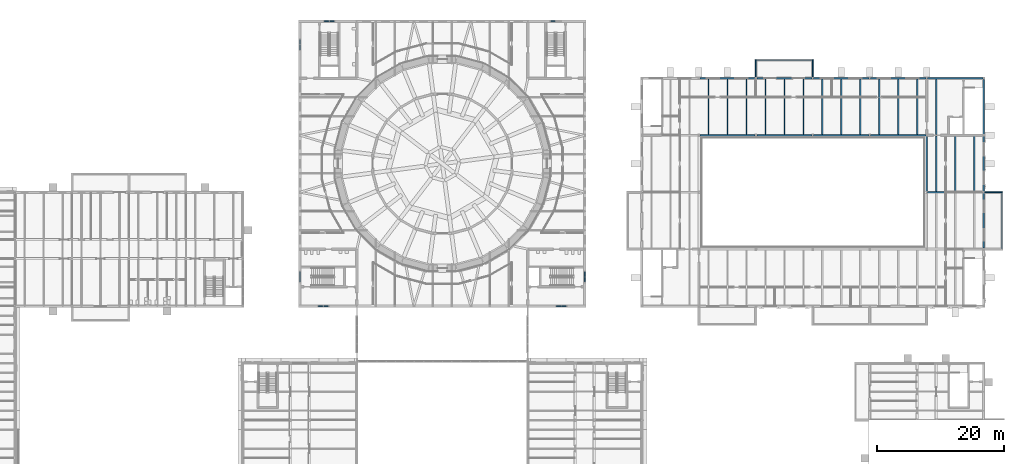
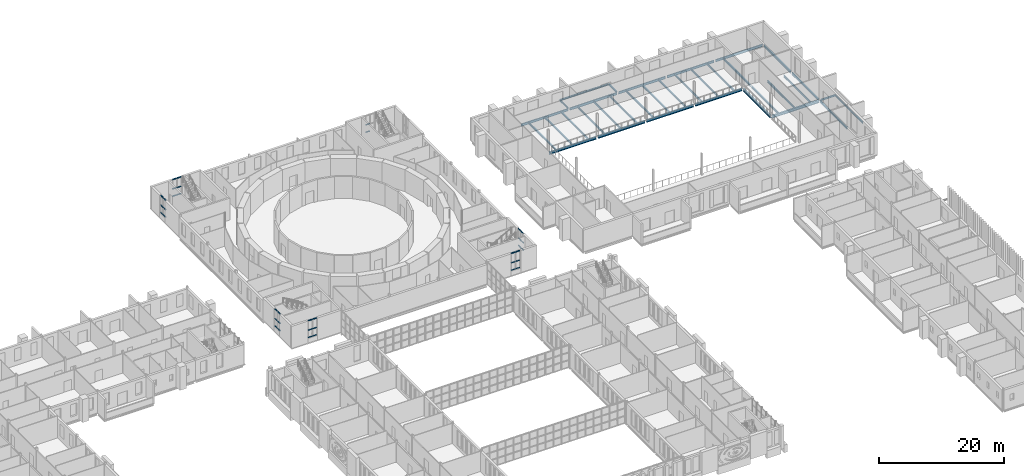
# One storey, part 58 of 131: 38 members, 35 beams, 7 elements without a shape of their own.
"""IFC4 building model written with IfcOpenShell, lengths in metres."""

from ifc_helpers import new_model, si_unit, direction, frame, origin, origin_2d, place, context, subcontext, project, spatial, hollow_rectangle, i_section, extrude, material, material_profile, profile_set, type_object, element, aggregate, save


model = new_model("IFC4")

# Units and contexts
model_context = context("Model", 3, precision=1e-05, world=origin(), true_north=direction((0.0, 1.0)))
body_context = subcontext(model_context, "Body", "Model", "MODEL_VIEW")
ifc_project = project(units=[si_unit("LENGTHUNIT", "METRE"), si_unit("AREAUNIT", "SQUARE_METRE"), si_unit("VOLUMEUNIT", "CUBIC_METRE"), si_unit("PLANEANGLEUNIT", "RADIAN"), si_unit("MASSUNIT", "GRAM", prefix="KILO")], contexts=[model_context])

# Site, building, storey
site_placement = place(None, origin())
site = spatial("IfcSite", under=ifc_project, at=site_placement, CompositionType="ELEMENT")
building_placement = place(site_placement, origin())
building = spatial("IfcBuilding", under=site, at=building_placement, Name="Golden Quay Civic Hall", CompositionType="ELEMENT")
storey_placement = place(building_placement, frame((0.0, 0.0, 9.89990234375)))
storey = spatial("IfcBuildingStorey", under=building, at=storey_placement, Name="L02", CompositionType="ELEMENT", Elevation=9.89990234375)

# Curtain wall, members
ifc_material_1 = material(Name="Fire-resisting glass and steel", Category="steel")
curtain_wall_type = type_object("IfcCurtainWallType", Name="Fire-resisting glazed stair curtain wall EI 120", PredefinedType="NOTDEFINED", material=ifc_material_1)
curtain_wall_1_placement = place(storey_placement, origin())
curtain_wall_1 = element("IfcCurtainWall", 1, at=curtain_wall_1_placement, inside=storey, type_object=curtain_wall_type, Name="CW4 stair curtain wall", PredefinedType="NOTDEFINED")
ifc_material_2 = material(Name="Steel S355", Category="steel")
ifc_material_profile_1 = material_profile(ifc_material_2, hollow_rectangle(XDim=0.1201171875, YDim=0.1201171875, WallThickness=0.012451171875, at=origin_2d()), Name="SHS 120x120x12.5")
ifc_profile_set_1 = profile_set([ifc_material_profile_1], Name="Steel S355")
member_type = type_object("IfcMemberType", Name="Fire-resisting steel stair transom 120 x 120", PredefinedType="USERDEFINED", material=ifc_profile_set_1)
member_1_placement = place(storey_placement, frame((65.919921875, 63.0, 0.960205078125), z_axis=(1.0, 0.0, 0.0), x_axis=(0.0, 1.0, 0.0)))
member_1 = element("IfcMember", 2, at=member_1_placement, type_object=member_type, Name="CW4 transom 1.1", ObjectType="TRANSOM", PredefinedType="USERDEFINED", context=body_context, shape_type="SweptSolid", body=[
    extrude(hollow_rectangle(XDim=0.1201171875, YDim=0.1201171875, WallThickness=0.012451171875, at=origin_2d()), origin(), (0.0, 0.0, 1.0), 0.719970703125),
])
member_2_placement = place(storey_placement, frame((65.919921875, 63.0, 2.400146484375), z_axis=(1.0, 0.0, 0.0), x_axis=(0.0, 1.0, 0.0)))
member_2 = element("IfcMember", 3, at=member_2_placement, type_object=member_type, Name="CW4 transom 1.2", ObjectType="TRANSOM", PredefinedType="USERDEFINED", context=body_context, shape_type="SweptSolid", body=[
    extrude(hollow_rectangle(XDim=0.1201171875, YDim=0.1201171875, WallThickness=0.012451171875, at=origin_2d()), origin(), (0.0, 0.0, 1.0), 0.719970703125),
])
member_3_placement = place(storey_placement, frame((65.919921875, 63.0, 4.239990234375), z_axis=(1.0, 0.0, 0.0), x_axis=(0.0, 1.0, 0.0)))
member_3 = element("IfcMember", 4, at=member_3_placement, type_object=member_type, Name="CW4 transom 1.3", ObjectType="TRANSOM", PredefinedType="USERDEFINED", context=body_context, shape_type="SweptSolid", body=[
    extrude(hollow_rectangle(XDim=0.1201171875, YDim=0.1201171875, WallThickness=0.012451171875, at=origin_2d()), origin(), (0.0, 0.0, 1.0), 0.719970703125),
])
member_4_placement = place(storey_placement, frame((66.760009765625, 63.0, 0.960205078125), z_axis=(1.0, 0.0, 0.0), x_axis=(0.0, 1.0, 0.0)))
member_4 = element("IfcMember", 5, at=member_4_placement, type_object=member_type, Name="CW4 transom 2.1", ObjectType="TRANSOM", PredefinedType="USERDEFINED", context=body_context, shape_type="SweptSolid", body=[
    extrude(hollow_rectangle(XDim=0.1201171875, YDim=0.1201171875, WallThickness=0.012451171875, at=origin_2d()), origin(), (0.0, 0.0, 1.0), 0.719970703125),
])
member_5_placement = place(storey_placement, frame((66.760009765625, 63.0, 2.400146484375), z_axis=(1.0, 0.0, 0.0), x_axis=(0.0, 1.0, 0.0)))
member_5 = element("IfcMember", 6, at=member_5_placement, type_object=member_type, Name="CW4 transom 2.2", ObjectType="TRANSOM", PredefinedType="USERDEFINED", context=body_context, shape_type="SweptSolid", body=[
    extrude(hollow_rectangle(XDim=0.1201171875, YDim=0.1201171875, WallThickness=0.012451171875, at=origin_2d()), origin(), (0.0, 0.0, 1.0), 0.719970703125),
])
member_6_placement = place(storey_placement, frame((66.760009765625, 63.0, 4.239990234375), z_axis=(1.0, 0.0, 0.0), x_axis=(0.0, 1.0, 0.0)))
member_6 = element("IfcMember", 7, at=member_6_placement, type_object=member_type, Name="CW4 transom 2.3", ObjectType="TRANSOM", PredefinedType="USERDEFINED", context=body_context, shape_type="SweptSolid", body=[
    extrude(hollow_rectangle(XDim=0.1201171875, YDim=0.1201171875, WallThickness=0.012451171875, at=origin_2d()), origin(), (0.0, 0.0, 1.0), 0.719970703125),
])
aggregate(curtain_wall_1, [member_1, member_2, member_3, member_4, member_5, member_6])

curtain_wall_2_placement = place(storey_placement, origin())
curtain_wall_2 = element("IfcCurtainWall", 8, at=curtain_wall_2_placement, inside=storey, type_object=curtain_wall_type, Name="CW4 stair curtain wall", PredefinedType="NOTDEFINED")
member_7_placement = place(storey_placement, frame((103.52001953125, 63.0, 0.960205078125), z_axis=(1.0, 0.0, 0.0), x_axis=(0.0, 1.0, 0.0)))
member_7 = element("IfcMember", 9, at=member_7_placement, type_object=member_type, Name="CW4 transom 1.1", ObjectType="TRANSOM", PredefinedType="USERDEFINED", context=body_context, shape_type="SweptSolid", body=[
    extrude(hollow_rectangle(XDim=0.1201171875, YDim=0.1201171875, WallThickness=0.012451171875, at=origin_2d()), origin(), (0.0, 0.0, 1.0), 0.719970703125),
])
member_8_placement = place(storey_placement, frame((103.52001953125, 63.0, 2.400146484375), z_axis=(1.0, 0.0, 0.0), x_axis=(0.0, 1.0, 0.0)))
member_8 = element("IfcMember", 10, at=member_8_placement, type_object=member_type, Name="CW4 transom 1.2", ObjectType="TRANSOM", PredefinedType="USERDEFINED", context=body_context, shape_type="SweptSolid", body=[
    extrude(hollow_rectangle(XDim=0.1201171875, YDim=0.1201171875, WallThickness=0.012451171875, at=origin_2d()), origin(), (0.0, 0.0, 1.0), 0.719970703125),
])
member_9_placement = place(storey_placement, frame((103.52001953125, 63.0, 4.239990234375), z_axis=(1.0, 0.0, 0.0), x_axis=(0.0, 1.0, 0.0)))
member_9 = element("IfcMember", 11, at=member_9_placement, type_object=member_type, Name="CW4 transom 1.3", ObjectType="TRANSOM", PredefinedType="USERDEFINED", context=body_context, shape_type="SweptSolid", body=[
    extrude(hollow_rectangle(XDim=0.1201171875, YDim=0.1201171875, WallThickness=0.012451171875, at=origin_2d()), origin(), (0.0, 0.0, 1.0), 0.719970703125),
])
member_10_placement = place(storey_placement, frame((104.360107421875, 63.0, 0.960205078125), z_axis=(1.0, 0.0, 0.0), x_axis=(0.0, 1.0, 0.0)))
member_10 = element("IfcMember", 12, at=member_10_placement, type_object=member_type, Name="CW4 transom 2.1", ObjectType="TRANSOM", PredefinedType="USERDEFINED", context=body_context, shape_type="SweptSolid", body=[
    extrude(hollow_rectangle(XDim=0.1201171875, YDim=0.1201171875, WallThickness=0.012451171875, at=origin_2d()), origin(), (0.0, 0.0, 1.0), 0.719970703125),
])
member_11_placement = place(storey_placement, frame((104.360107421875, 63.0, 2.400146484375), z_axis=(1.0, 0.0, 0.0), x_axis=(0.0, 1.0, 0.0)))
member_11 = element("IfcMember", 13, at=member_11_placement, type_object=member_type, Name="CW4 transom 2.2", ObjectType="TRANSOM", PredefinedType="USERDEFINED", context=body_context, shape_type="SweptSolid", body=[
    extrude(hollow_rectangle(XDim=0.1201171875, YDim=0.1201171875, WallThickness=0.012451171875, at=origin_2d()), origin(), (0.0, 0.0, 1.0), 0.719970703125),
])
member_12_placement = place(storey_placement, frame((104.360107421875, 63.0, 4.239990234375), z_axis=(1.0, 0.0, 0.0), x_axis=(0.0, 1.0, 0.0)))
member_12 = element("IfcMember", 14, at=member_12_placement, type_object=member_type, Name="CW4 transom 2.3", ObjectType="TRANSOM", PredefinedType="USERDEFINED", context=body_context, shape_type="SweptSolid", body=[
    extrude(hollow_rectangle(XDim=0.1201171875, YDim=0.1201171875, WallThickness=0.012451171875, at=origin_2d()), origin(), (0.0, 0.0, 1.0), 0.719970703125),
])
aggregate(curtain_wall_2, [member_7, member_8, member_9, member_10, member_11, member_12])

curtain_wall_3_placement = place(storey_placement, origin())
curtain_wall_3 = element("IfcCurtainWall", 15, at=curtain_wall_3_placement, inside=storey, type_object=curtain_wall_type, Name="CW4 stair curtain wall", PredefinedType="NOTDEFINED")
member_13_placement = place(storey_placement, frame((66.844970703125, 108.0, 0.960205078125), z_axis=(1.0, 0.0, 0.0), x_axis=(0.0, 1.0, 0.0)))
member_13 = element("IfcMember", 16, at=member_13_placement, type_object=member_type, Name="CW4 transom 1.1", ObjectType="TRANSOM", PredefinedType="USERDEFINED", context=body_context, shape_type="SweptSolid", body=[
    extrude(hollow_rectangle(XDim=0.1201171875, YDim=0.1201171875, WallThickness=0.012451171875, at=origin_2d()), origin(), (0.0, 0.0, 1.0), 0.719970703125),
])
member_14_placement = place(storey_placement, frame((66.844970703125, 108.0, 2.400146484375), z_axis=(1.0, 0.0, 0.0), x_axis=(0.0, 1.0, 0.0)))
member_14 = element("IfcMember", 17, at=member_14_placement, type_object=member_type, Name="CW4 transom 1.2", ObjectType="TRANSOM", PredefinedType="USERDEFINED", context=body_context, shape_type="SweptSolid", body=[
    extrude(hollow_rectangle(XDim=0.1201171875, YDim=0.1201171875, WallThickness=0.012451171875, at=origin_2d()), origin(), (0.0, 0.0, 1.0), 0.719970703125),
])
member_15_placement = place(storey_placement, frame((66.844970703125, 108.0, 4.239990234375), z_axis=(1.0, 0.0, 0.0), x_axis=(0.0, 1.0, 0.0)))
member_15 = element("IfcMember", 18, at=member_15_placement, type_object=member_type, Name="CW4 transom 1.3", ObjectType="TRANSOM", PredefinedType="USERDEFINED", context=body_context, shape_type="SweptSolid", body=[
    extrude(hollow_rectangle(XDim=0.1201171875, YDim=0.1201171875, WallThickness=0.012451171875, at=origin_2d()), origin(), (0.0, 0.0, 1.0), 0.719970703125),
])
member_16_placement = place(storey_placement, frame((67.68505859375, 108.0, 0.960205078125), z_axis=(1.0, 0.0, 0.0), x_axis=(0.0, 1.0, 0.0)))
member_16 = element("IfcMember", 19, at=member_16_placement, type_object=member_type, Name="CW4 transom 2.1", ObjectType="TRANSOM", PredefinedType="USERDEFINED", context=body_context, shape_type="SweptSolid", body=[
    extrude(hollow_rectangle(XDim=0.1201171875, YDim=0.1201171875, WallThickness=0.012451171875, at=origin_2d()), origin(), (0.0, 0.0, 1.0), 0.719970703125),
])
member_17_placement = place(storey_placement, frame((67.68505859375, 108.0, 2.400146484375), z_axis=(1.0, 0.0, 0.0), x_axis=(0.0, 1.0, 0.0)))
member_17 = element("IfcMember", 20, at=member_17_placement, type_object=member_type, Name="CW4 transom 2.2", ObjectType="TRANSOM", PredefinedType="USERDEFINED", context=body_context, shape_type="SweptSolid", body=[
    extrude(hollow_rectangle(XDim=0.1201171875, YDim=0.1201171875, WallThickness=0.012451171875, at=origin_2d()), origin(), (0.0, 0.0, 1.0), 0.719970703125),
])
member_18_placement = place(storey_placement, frame((67.68505859375, 108.0, 4.239990234375), z_axis=(1.0, 0.0, 0.0), x_axis=(0.0, 1.0, 0.0)))
member_18 = element("IfcMember", 21, at=member_18_placement, type_object=member_type, Name="CW4 transom 2.3", ObjectType="TRANSOM", PredefinedType="USERDEFINED", context=body_context, shape_type="SweptSolid", body=[
    extrude(hollow_rectangle(XDim=0.1201171875, YDim=0.1201171875, WallThickness=0.012451171875, at=origin_2d()), origin(), (0.0, 0.0, 1.0), 0.719970703125),
])
aggregate(curtain_wall_3, [member_13, member_14, member_15, member_16, member_17, member_18])

curtain_wall_4_placement = place(storey_placement, origin())
curtain_wall_4 = element("IfcCurtainWall", 22, at=curtain_wall_4_placement, inside=storey, type_object=curtain_wall_type, Name="CW4 stair curtain wall", PredefinedType="NOTDEFINED")
member_19_placement = place(storey_placement, frame((102.594970703125, 108.0, 0.960205078125), z_axis=(1.0, 0.0, 0.0), x_axis=(0.0, 1.0, 0.0)))
member_19 = element("IfcMember", 23, at=member_19_placement, type_object=member_type, Name="CW4 transom 1.1", ObjectType="TRANSOM", PredefinedType="USERDEFINED", context=body_context, shape_type="SweptSolid", body=[
    extrude(hollow_rectangle(XDim=0.1201171875, YDim=0.1201171875, WallThickness=0.012451171875, at=origin_2d()), origin(), (0.0, 0.0, 1.0), 0.719970703125),
])
member_20_placement = place(storey_placement, frame((102.594970703125, 108.0, 2.400146484375), z_axis=(1.0, 0.0, 0.0), x_axis=(0.0, 1.0, 0.0)))
member_20 = element("IfcMember", 24, at=member_20_placement, type_object=member_type, Name="CW4 transom 1.2", ObjectType="TRANSOM", PredefinedType="USERDEFINED", context=body_context, shape_type="SweptSolid", body=[
    extrude(hollow_rectangle(XDim=0.1201171875, YDim=0.1201171875, WallThickness=0.012451171875, at=origin_2d()), origin(), (0.0, 0.0, 1.0), 0.719970703125),
])
aggregate(curtain_wall_4, [member_19, member_20])

curtain_wall_5_placement = place(storey_placement, origin())
curtain_wall_5 = element("IfcCurtainWall", 25, at=curtain_wall_5_placement, inside=storey, type_object=curtain_wall_type, Name="CW4 stair curtain wall", PredefinedType="NOTDEFINED")
member_21_placement = place(storey_placement, frame((63.0, 66.844970703125, 0.960205078125), z_axis=(0.0, 1.0, 0.0), x_axis=(-1.0, 0.0, 0.0)))
member_21 = element("IfcMember", 26, at=member_21_placement, type_object=member_type, Name="CW4 transom 1.1", ObjectType="TRANSOM", PredefinedType="USERDEFINED", context=body_context, shape_type="SweptSolid", body=[
    extrude(hollow_rectangle(XDim=0.1201171875, YDim=0.1201171875, WallThickness=0.012451171875, at=origin_2d()), origin(), (0.0, 0.0, 1.0), 0.719970703125),
])
member_22_placement = place(storey_placement, frame((63.0, 66.844970703125, 2.400146484375), z_axis=(0.0, 1.0, 0.0), x_axis=(-1.0, 0.0, 0.0)))
member_22 = element("IfcMember", 27, at=member_22_placement, type_object=member_type, Name="CW4 transom 1.2", ObjectType="TRANSOM", PredefinedType="USERDEFINED", context=body_context, shape_type="SweptSolid", body=[
    extrude(hollow_rectangle(XDim=0.1201171875, YDim=0.1201171875, WallThickness=0.012451171875, at=origin_2d()), origin(), (0.0, 0.0, 1.0), 0.719970703125),
])
member_23_placement = place(storey_placement, frame((63.0, 66.844970703125, 4.239990234375), z_axis=(0.0, 1.0, 0.0), x_axis=(-1.0, 0.0, 0.0)))
member_23 = element("IfcMember", 28, at=member_23_placement, type_object=member_type, Name="CW4 transom 1.3", ObjectType="TRANSOM", PredefinedType="USERDEFINED", context=body_context, shape_type="SweptSolid", body=[
    extrude(hollow_rectangle(XDim=0.1201171875, YDim=0.1201171875, WallThickness=0.012451171875, at=origin_2d()), origin(), (0.0, 0.0, 1.0), 0.719970703125),
])
member_24_placement = place(storey_placement, frame((63.0, 67.68505859375, 0.960205078125), z_axis=(0.0, 1.0, 0.0), x_axis=(-1.0, 0.0, 0.0)))
member_24 = element("IfcMember", 29, at=member_24_placement, type_object=member_type, Name="CW4 transom 2.1", ObjectType="TRANSOM", PredefinedType="USERDEFINED", context=body_context, shape_type="SweptSolid", body=[
    extrude(hollow_rectangle(XDim=0.1201171875, YDim=0.1201171875, WallThickness=0.012451171875, at=origin_2d()), origin(), (0.0, 0.0, 1.0), 0.719970703125),
])
member_25_placement = place(storey_placement, frame((63.0, 67.68505859375, 2.400146484375), z_axis=(0.0, 1.0, 0.0), x_axis=(-1.0, 0.0, 0.0)))
member_25 = element("IfcMember", 30, at=member_25_placement, type_object=member_type, Name="CW4 transom 2.2", ObjectType="TRANSOM", PredefinedType="USERDEFINED", context=body_context, shape_type="SweptSolid", body=[
    extrude(hollow_rectangle(XDim=0.1201171875, YDim=0.1201171875, WallThickness=0.012451171875, at=origin_2d()), origin(), (0.0, 0.0, 1.0), 0.719970703125),
])
member_26_placement = place(storey_placement, frame((63.0, 67.68505859375, 4.239990234375), z_axis=(0.0, 1.0, 0.0), x_axis=(-1.0, 0.0, 0.0)))
member_26 = element("IfcMember", 31, at=member_26_placement, type_object=member_type, Name="CW4 transom 2.3", ObjectType="TRANSOM", PredefinedType="USERDEFINED", context=body_context, shape_type="SweptSolid", body=[
    extrude(hollow_rectangle(XDim=0.1201171875, YDim=0.1201171875, WallThickness=0.012451171875, at=origin_2d()), origin(), (0.0, 0.0, 1.0), 0.719970703125),
])
aggregate(curtain_wall_5, [member_21, member_22, member_23, member_24, member_25, member_26])

curtain_wall_6_placement = place(storey_placement, origin())
curtain_wall_6 = element("IfcCurtainWall", 32, at=curtain_wall_6_placement, inside=storey, type_object=curtain_wall_type, Name="CW4 stair curtain wall", PredefinedType="NOTDEFINED")
member_27_placement = place(storey_placement, frame((63.0, 103.52001953125, 0.960205078125), z_axis=(0.0, 1.0, 0.0), x_axis=(-1.0, 0.0, 0.0)))
member_27 = element("IfcMember", 33, at=member_27_placement, type_object=member_type, Name="CW4 transom 1.1", ObjectType="TRANSOM", PredefinedType="USERDEFINED", context=body_context, shape_type="SweptSolid", body=[
    extrude(hollow_rectangle(XDim=0.1201171875, YDim=0.1201171875, WallThickness=0.012451171875, at=origin_2d()), origin(), (0.0, 0.0, 1.0), 0.719970703125),
])
member_28_placement = place(storey_placement, frame((63.0, 103.52001953125, 2.400146484375), z_axis=(0.0, 1.0, 0.0), x_axis=(-1.0, 0.0, 0.0)))
member_28 = element("IfcMember", 34, at=member_28_placement, type_object=member_type, Name="CW4 transom 1.2", ObjectType="TRANSOM", PredefinedType="USERDEFINED", context=body_context, shape_type="SweptSolid", body=[
    extrude(hollow_rectangle(XDim=0.1201171875, YDim=0.1201171875, WallThickness=0.012451171875, at=origin_2d()), origin(), (0.0, 0.0, 1.0), 0.719970703125),
])
member_29_placement = place(storey_placement, frame((63.0, 103.52001953125, 4.239990234375), z_axis=(0.0, 1.0, 0.0), x_axis=(-1.0, 0.0, 0.0)))
member_29 = element("IfcMember", 35, at=member_29_placement, type_object=member_type, Name="CW4 transom 1.3", ObjectType="TRANSOM", PredefinedType="USERDEFINED", context=body_context, shape_type="SweptSolid", body=[
    extrude(hollow_rectangle(XDim=0.1201171875, YDim=0.1201171875, WallThickness=0.012451171875, at=origin_2d()), origin(), (0.0, 0.0, 1.0), 0.719970703125),
])
member_30_placement = place(storey_placement, frame((63.0, 104.360107421875, 0.960205078125), z_axis=(0.0, 1.0, 0.0), x_axis=(-1.0, 0.0, 0.0)))
member_30 = element("IfcMember", 36, at=member_30_placement, type_object=member_type, Name="CW4 transom 2.1", ObjectType="TRANSOM", PredefinedType="USERDEFINED", context=body_context, shape_type="SweptSolid", body=[
    extrude(hollow_rectangle(XDim=0.1201171875, YDim=0.1201171875, WallThickness=0.012451171875, at=origin_2d()), origin(), (0.0, 0.0, 1.0), 0.719970703125),
])
member_31_placement = place(storey_placement, frame((63.0, 104.360107421875, 2.400146484375), z_axis=(0.0, 1.0, 0.0), x_axis=(-1.0, 0.0, 0.0)))
member_31 = element("IfcMember", 37, at=member_31_placement, type_object=member_type, Name="CW4 transom 2.2", ObjectType="TRANSOM", PredefinedType="USERDEFINED", context=body_context, shape_type="SweptSolid", body=[
    extrude(hollow_rectangle(XDim=0.1201171875, YDim=0.1201171875, WallThickness=0.012451171875, at=origin_2d()), origin(), (0.0, 0.0, 1.0), 0.719970703125),
])
member_32_placement = place(storey_placement, frame((63.0, 104.360107421875, 4.239990234375), z_axis=(0.0, 1.0, 0.0), x_axis=(-1.0, 0.0, 0.0)))
member_32 = element("IfcMember", 38, at=member_32_placement, type_object=member_type, Name="CW4 transom 2.3", ObjectType="TRANSOM", PredefinedType="USERDEFINED", context=body_context, shape_type="SweptSolid", body=[
    extrude(hollow_rectangle(XDim=0.1201171875, YDim=0.1201171875, WallThickness=0.012451171875, at=origin_2d()), origin(), (0.0, 0.0, 1.0), 0.719970703125),
])
aggregate(curtain_wall_6, [member_27, member_28, member_29, member_30, member_31, member_32])

curtain_wall_7_placement = place(storey_placement, origin())
curtain_wall_7 = element("IfcCurtainWall", 39, at=curtain_wall_7_placement, inside=storey, type_object=curtain_wall_type, Name="CW4 stair curtain wall", PredefinedType="NOTDEFINED")
member_33_placement = place(storey_placement, frame((108.0, 66.844970703125, 0.960205078125), z_axis=(0.0, 1.0, 0.0), x_axis=(-1.0, 0.0, 0.0)))
member_33 = element("IfcMember", 40, at=member_33_placement, type_object=member_type, Name="CW4 transom 1.1", ObjectType="TRANSOM", PredefinedType="USERDEFINED", context=body_context, shape_type="SweptSolid", body=[
    extrude(hollow_rectangle(XDim=0.1201171875, YDim=0.1201171875, WallThickness=0.012451171875, at=origin_2d()), origin(), (0.0, 0.0, 1.0), 0.719970703125),
])
member_34_placement = place(storey_placement, frame((108.0, 66.844970703125, 2.400146484375), z_axis=(0.0, 1.0, 0.0), x_axis=(-1.0, 0.0, 0.0)))
member_34 = element("IfcMember", 41, at=member_34_placement, type_object=member_type, Name="CW4 transom 1.2", ObjectType="TRANSOM", PredefinedType="USERDEFINED", context=body_context, shape_type="SweptSolid", body=[
    extrude(hollow_rectangle(XDim=0.1201171875, YDim=0.1201171875, WallThickness=0.012451171875, at=origin_2d()), origin(), (0.0, 0.0, 1.0), 0.719970703125),
])
member_35_placement = place(storey_placement, frame((108.0, 66.844970703125, 4.239990234375), z_axis=(0.0, 1.0, 0.0), x_axis=(-1.0, 0.0, 0.0)))
member_35 = element("IfcMember", 42, at=member_35_placement, type_object=member_type, Name="CW4 transom 1.3", ObjectType="TRANSOM", PredefinedType="USERDEFINED", context=body_context, shape_type="SweptSolid", body=[
    extrude(hollow_rectangle(XDim=0.1201171875, YDim=0.1201171875, WallThickness=0.012451171875, at=origin_2d()), origin(), (0.0, 0.0, 1.0), 0.719970703125),
])
member_36_placement = place(storey_placement, frame((108.0, 67.68505859375, 0.960205078125), z_axis=(0.0, 1.0, 0.0), x_axis=(-1.0, 0.0, 0.0)))
member_36 = element("IfcMember", 43, at=member_36_placement, type_object=member_type, Name="CW4 transom 2.1", ObjectType="TRANSOM", PredefinedType="USERDEFINED", context=body_context, shape_type="SweptSolid", body=[
    extrude(hollow_rectangle(XDim=0.1201171875, YDim=0.1201171875, WallThickness=0.012451171875, at=origin_2d()), origin(), (0.0, 0.0, 1.0), 0.719970703125),
])
member_37_placement = place(storey_placement, frame((108.0, 67.68505859375, 2.400146484375), z_axis=(0.0, 1.0, 0.0), x_axis=(-1.0, 0.0, 0.0)))
member_37 = element("IfcMember", 44, at=member_37_placement, type_object=member_type, Name="CW4 transom 2.2", ObjectType="TRANSOM", PredefinedType="USERDEFINED", context=body_context, shape_type="SweptSolid", body=[
    extrude(hollow_rectangle(XDim=0.1201171875, YDim=0.1201171875, WallThickness=0.012451171875, at=origin_2d()), origin(), (0.0, 0.0, 1.0), 0.719970703125),
])
member_38_placement = place(storey_placement, frame((108.0, 67.68505859375, 4.239990234375), z_axis=(0.0, 1.0, 0.0), x_axis=(-1.0, 0.0, 0.0)))
member_38 = element("IfcMember", 45, at=member_38_placement, type_object=member_type, Name="CW4 transom 2.3", ObjectType="TRANSOM", PredefinedType="USERDEFINED", context=body_context, shape_type="SweptSolid", body=[
    extrude(hollow_rectangle(XDim=0.1201171875, YDim=0.1201171875, WallThickness=0.012451171875, at=origin_2d()), origin(), (0.0, 0.0, 1.0), 0.719970703125),
])
aggregate(curtain_wall_7, [member_33, member_34, member_35, member_36, member_37, member_38])

# Beams
ifc_material_3 = material(Name="Steel S355", Category="steel")
ifc_material_profile_2 = material_profile(ifc_material_3, i_section(OverallWidth=0.159912109375, OverallDepth=0.330078125, WebThickness=0.007568359375, FlangeThickness=0.011474609375, FilletRadius=0.01806640625, at=origin_2d()), Name="IPE 330")
ifc_profile_set_2 = profile_set([ifc_material_profile_2], Name="Steel S355")
beam_type_1 = type_object("IfcBeamType", Name="Loggia head beam IPE 330", PredefinedType="BEAM", material=ifc_profile_set_2)
for number, where, z_axis, x_axis, name in (
    (46, (173.8701171875, 72.080078125, -0.364990234375), (0.0, 1.0, 0.0), (-1.0, 0.0, 0.0), "Loggia head beam IPE 330 L02 14"),
    (47, (135.080078125, 101.8701171875, -0.364990234375), (1.0, 0.0, 0.0), (0.0, 1.0, 0.0), "Loggia head beam IPE 330 L02 15"),
):
    element("IfcBeam", number, at=place(storey_placement, frame(where, z_axis=z_axis, x_axis=x_axis)), inside=storey, type_object=beam_type_1, Name=name, PredefinedType="BEAM", context=body_context, shape_type="SweptSolid", body=[
        extrude(i_section(OverallWidth=0.159912109375, OverallDepth=0.330078125, WebThickness=0.007568359375, FlangeThickness=0.011474609375, FilletRadius=0.01806640625, at=origin_2d()), origin(), (0.0, 0.0, 1.0), 8.83984375),
    ])
ifc_material_4 = material(Name="Steel S355", Category="steel")
ifc_material_profile_3 = material_profile(ifc_material_4, i_section(OverallWidth=0.159912109375, OverallDepth=0.330078125, WebThickness=0.007568359375, FlangeThickness=0.011474609375, FilletRadius=0.01806640625, at=origin_2d()), Name="IPE 330")
ifc_profile_set_3 = profile_set([ifc_material_profile_3], Name="Steel S355")
beam_type_2 = type_object("IfcBeamType", Name="Loggia stub IPE 330", PredefinedType="BEAM", material=ifc_profile_set_3)
beam_1_placement = place(storey_placement, frame((171.14990234375, 81.0, -0.364990234375), z_axis=(1.0, 0.0, 0.0), x_axis=(0.0, 1.0, 0.0)))
element("IfcBeam", 48, at=beam_1_placement, inside=storey, type_object=beam_type_2, Name="Loggia stub IPE 330 L02 22", PredefinedType="BEAM", context=body_context, shape_type="SweptSolid", body=[
    extrude(i_section(OverallWidth=0.159912109375, OverallDepth=0.330078125, WebThickness=0.007568359375, FlangeThickness=0.011474609375, FilletRadius=0.01806640625, at=origin_2d()), origin(), (0.0, 0.0, 1.0), 2.800048828125),
])
for number, where, z_axis, x_axis, name in (
    (49, (135.0, 99.179931640625, -0.364990234375), (0.0, 1.0, 0.0), (-1.0, 0.0, 0.0), "Loggia stub IPE 330 L02 23"),
    (50, (144.0, 99.179931640625, -0.364990234375), (0.0, 1.0, 0.0), (-1.0, 0.0, 0.0), "Loggia stub IPE 330 L02 24"),
):
    element("IfcBeam", number, at=place(storey_placement, frame(where, z_axis=z_axis, x_axis=x_axis)), inside=storey, type_object=beam_type_2, Name=name, PredefinedType="BEAM", context=body_context, shape_type="SweptSolid", body=[
        extrude(i_section(OverallWidth=0.159912109375, OverallDepth=0.330078125, WebThickness=0.007568359375, FlangeThickness=0.011474609375, FilletRadius=0.01806640625, at=origin_2d()), origin(), (0.0, 0.0, 1.0), 2.77001953125),
    ])
ifc_material_5 = material(Name="Steel S355", Category="steel")
ifc_material_profile_4 = material_profile(ifc_material_5, i_section(OverallWidth=0.18994140625, OverallDepth=0.449951171875, WebThickness=0.009521484375, FlangeThickness=0.0146484375, FilletRadius=0.02099609375, at=origin_2d()), Name="IPE 450")
ifc_profile_set_4 = profile_set([ifc_material_profile_4], Name="Steel S355")
beam_type_3 = type_object("IfcBeamType", Name="Steel edge beam IPE 450", PredefinedType="BEAM", material=ifc_profile_set_4)
for number, where, z_axis, x_axis, name in (
    (51, (126.14990234375, 99.0, -0.4248046875), (1.0, 0.0, 0.0), (0.0, 1.0, 0.0), "L02 edge beam 36-2"),
    (52, (135.14990234375, 99.0, -0.4248046875), (1.0, 0.0, 0.0), (0.0, 1.0, 0.0), "L02 edge beam 36-3"),
    (53, (144.14990234375, 99.0, -0.4248046875), (1.0, 0.0, 0.0), (0.0, 1.0, 0.0), "L02 edge beam 36-4"),
    (54, (153.14990234375, 99.0, -0.4248046875), (1.0, 0.0, 0.0), (0.0, 1.0, 0.0), "L02 edge beam 36-5"),
    (55, (162.14990234375, 99.0, -0.4248046875), (1.0, 0.0, 0.0), (0.0, 1.0, 0.0), "L02 edge beam 36-6"),
    (56, (171.0, 72.14990234375, -0.4248046875), (0.0, 1.0, 0.0), (-1.0, 0.0, 0.0), "L02 edge beam u54-2"),
    (57, (171.0, 81.14990234375, -0.4248046875), (0.0, 1.0, 0.0), (-1.0, 0.0, 0.0), "L02 edge beam u54-3"),
):
    element("IfcBeam", number, at=place(storey_placement, frame(where, z_axis=z_axis, x_axis=x_axis)), inside=storey, type_object=beam_type_3, Name=name, PredefinedType="BEAM", context=body_context, shape_type="SweptSolid", body=[
        extrude(i_section(OverallWidth=0.18994140625, OverallDepth=0.449951171875, WebThickness=0.009521484375, FlangeThickness=0.0146484375, FilletRadius=0.02099609375, at=origin_2d()), origin(), (0.0, 0.0, 1.0), 8.7001953125),
    ])
beam_2_placement = place(storey_placement, frame((171.0, 90.14990234375, -0.4248046875), z_axis=(0.0, 1.0, 0.0), x_axis=(-1.0, 0.0, 0.0)))
element("IfcBeam", 58, at=beam_2_placement, inside=storey, type_object=beam_type_3, Name="L02 edge beam u54-4", PredefinedType="BEAM", context=body_context, shape_type="SweptSolid", body=[
    extrude(i_section(OverallWidth=0.18994140625, OverallDepth=0.449951171875, WebThickness=0.009521484375, FlangeThickness=0.0146484375, FilletRadius=0.02099609375, at=origin_2d()), origin(), (0.0, 0.0, 1.0), 8.670166015625),
])
ifc_material_6 = material(Name="Steel S355", Category="steel")
ifc_material_profile_5 = material_profile(ifc_material_6, i_section(OverallWidth=0.300048828125, OverallDepth=0.489990234375, WebThickness=0.011962890625, FlangeThickness=0.02294921875, FilletRadius=0.027099609375, at=origin_2d()), Name="HEA 500")
ifc_profile_set_5 = profile_set([ifc_material_profile_5], Name="Steel S355")
beam_type_4 = type_object("IfcBeamType", Name="Steel girder HEA 500", PredefinedType="BEAM", material=ifc_profile_set_5)
for number, where, z_axis, x_axis, name in (
    (59, (126.14990234375, 90.0, -0.44482421875), (1.0, 0.0, 0.0), (0.0, 1.0, 0.0), "L02 girder 27-2"),
    (60, (135.14990234375, 90.0, -0.44482421875), (1.0, 0.0, 0.0), (0.0, 1.0, 0.0), "L02 girder 27-3"),
    (61, (144.14990234375, 90.0, -0.44482421875), (1.0, 0.0, 0.0), (0.0, 1.0, 0.0), "L02 girder 27-4"),
    (62, (153.14990234375, 90.0, -0.44482421875), (1.0, 0.0, 0.0), (0.0, 1.0, 0.0), "L02 girder 27-5"),
    (63, (162.0, 81.14990234375, -0.44482421875), (0.0, 1.0, 0.0), (-1.0, 0.0, 0.0), "L02 girder u45-3"),
):
    element("IfcBeam", number, at=place(storey_placement, frame(where, z_axis=z_axis, x_axis=x_axis)), inside=storey, type_object=beam_type_4, Name=name, PredefinedType="BEAM", context=body_context, shape_type="SweptSolid", body=[
        extrude(i_section(OverallWidth=0.300048828125, OverallDepth=0.489990234375, WebThickness=0.011962890625, FlangeThickness=0.02294921875, FilletRadius=0.027099609375, at=origin_2d()), origin(), (0.0, 0.0, 1.0), 8.7001953125),
    ])
ifc_material_7 = material(Name="Steel S355", Category="steel")
ifc_material_profile_6 = material_profile(ifc_material_7, i_section(OverallWidth=0.300048828125, OverallDepth=0.5, WebThickness=0.014404296875, FlangeThickness=0.028076171875, FilletRadius=0.027099609375, at=origin_2d()), Name="HEB 500")
ifc_profile_set_6 = profile_set([ifc_material_profile_6], Name="Steel S355")
beam_type_5 = type_object("IfcBeamType", Name="Steel girder HEB 500", PredefinedType="BEAM", material=ifc_profile_set_6)
beam_3_placement = place(storey_placement, frame((162.14990234375, 81.0, -0.449951171875), z_axis=(1.0, 0.0, 0.0), x_axis=(0.0, 1.0, 0.0)))
element("IfcBeam", 64, at=beam_3_placement, inside=storey, type_object=beam_type_5, Name="L02 girder 18-6", PredefinedType="BEAM", context=body_context, shape_type="SweptSolid", body=[
    extrude(i_section(OverallWidth=0.300048828125, OverallDepth=0.5, WebThickness=0.014404296875, FlangeThickness=0.028076171875, FilletRadius=0.027099609375, at=origin_2d()), origin(), (0.0, 0.0, 1.0), 8.7001953125),
])
ifc_material_8 = material(Name="Steel S355", Category="steel")
ifc_material_profile_7 = material_profile(ifc_material_8, i_section(OverallWidth=0.169921875, OverallDepth=0.360107421875, WebThickness=0.008056640625, FlangeThickness=0.0126953125, FilletRadius=0.01806640625, at=origin_2d()), Name="IPE 360")
ifc_profile_set_7 = profile_set([ifc_material_profile_7], Name="Steel S355")
beam_type_6 = type_object("IfcBeamType", Name="Steel joist IPE 360", PredefinedType="JOIST", material=ifc_profile_set_7)
for number, where, z_axis, x_axis, name in (
    (65, (127.5, 90.14990234375, -0.3798828125), (0.0, 1.0, 0.0), (-1.0, 0.0, 0.0), "L02 joist 2.4.1"),
    (66, (130.5, 90.14990234375, -0.3798828125), (0.0, 1.0, 0.0), (-1.0, 0.0, 0.0), "L02 joist 2.4.2"),
    (67, (133.5, 90.14990234375, -0.3798828125), (0.0, 1.0, 0.0), (-1.0, 0.0, 0.0), "L02 joist 2.4.3"),
    (68, (136.5, 90.14990234375, -0.3798828125), (0.0, 1.0, 0.0), (-1.0, 0.0, 0.0), "L02 joist 3.4.1"),
    (69, (139.5, 90.14990234375, -0.3798828125), (0.0, 1.0, 0.0), (-1.0, 0.0, 0.0), "L02 joist 3.4.2"),
    (70, (142.5, 90.14990234375, -0.3798828125), (0.0, 1.0, 0.0), (-1.0, 0.0, 0.0), "L02 joist 3.4.3"),
    (71, (145.5, 90.14990234375, -0.3798828125), (0.0, 1.0, 0.0), (-1.0, 0.0, 0.0), "L02 joist 4.4.1"),
    (72, (148.5, 90.14990234375, -0.3798828125), (0.0, 1.0, 0.0), (-1.0, 0.0, 0.0), "L02 joist 4.4.2"),
    (73, (151.5, 90.14990234375, -0.3798828125), (0.0, 1.0, 0.0), (-1.0, 0.0, 0.0), "L02 joist 4.4.3"),
    (74, (154.5, 90.14990234375, -0.3798828125), (0.0, 1.0, 0.0), (-1.0, 0.0, 0.0), "L02 joist 5.4.1"),
    (75, (157.5, 90.14990234375, -0.3798828125), (0.0, 1.0, 0.0), (-1.0, 0.0, 0.0), "L02 joist 5.4.2"),
    (76, (160.5, 90.14990234375, -0.3798828125), (0.0, 1.0, 0.0), (-1.0, 0.0, 0.0), "L02 joist 5.4.3"),
):
    element("IfcBeam", number, at=place(storey_placement, frame(where, z_axis=z_axis, x_axis=x_axis)), inside=storey, type_object=beam_type_6, Name=name, PredefinedType="JOIST", context=body_context, shape_type="SweptSolid", body=[
        extrude(i_section(OverallWidth=0.169921875, OverallDepth=0.360107421875, WebThickness=0.008056640625, FlangeThickness=0.0126953125, FilletRadius=0.01806640625, at=origin_2d()), origin(), (0.0, 0.0, 1.0), 8.755126953125),
    ])
ifc_material_9 = material(Name="Steel S355", Category="steel")
ifc_material_profile_8 = material_profile(ifc_material_9, i_section(OverallWidth=0.179931640625, OverallDepth=0.39990234375, WebThickness=0.008544921875, FlangeThickness=0.013427734375, FilletRadius=0.02099609375, at=origin_2d()), Name="IPE 400")
ifc_profile_set_8 = profile_set([ifc_material_profile_8], Name="Steel S355")
beam_type_7 = type_object("IfcBeamType", Name="Steel joist IPE 400", PredefinedType="JOIST", material=ifc_profile_set_8)
for number, where, z_axis, x_axis, name in (
    (77, (163.5, 81.14990234375, -0.39990234375), (0.0, 1.0, 0.0), (-1.0, 0.0, 0.0), "L02 joist 6.3.1"),
    (78, (166.5, 81.14990234375, -0.39990234375), (0.0, 1.0, 0.0), (-1.0, 0.0, 0.0), "L02 joist 6.3.2"),
    (79, (169.5, 81.14990234375, -0.39990234375), (0.0, 1.0, 0.0), (-1.0, 0.0, 0.0), "L02 joist 6.3.3"),
):
    element("IfcBeam", number, at=place(storey_placement, frame(where, z_axis=z_axis, x_axis=x_axis)), inside=storey, type_object=beam_type_7, Name=name, PredefinedType="JOIST", context=body_context, shape_type="SweptSolid", body=[
        extrude(i_section(OverallWidth=0.179931640625, OverallDepth=0.39990234375, WebThickness=0.008544921875, FlangeThickness=0.013427734375, FilletRadius=0.02099609375, at=origin_2d()), origin(), (0.0, 0.0, 1.0), 8.72509765625),
    ])
beam_4_placement = place(storey_placement, frame((163.5, 90.125, -0.39990234375), z_axis=(0.0, 1.0, 0.0), x_axis=(-1.0, 0.0, 0.0)))
element("IfcBeam", 80, at=beam_4_placement, inside=storey, type_object=beam_type_7, Name="L02 joist 6.4.1", PredefinedType="JOIST", context=body_context, shape_type="SweptSolid", body=[
    extrude(i_section(OverallWidth=0.179931640625, OverallDepth=0.39990234375, WebThickness=0.008544921875, FlangeThickness=0.013427734375, FilletRadius=0.02099609375, at=origin_2d()), origin(), (0.0, 0.0, 1.0), 8.780029296875),
])

save(model, "model.ifc")
